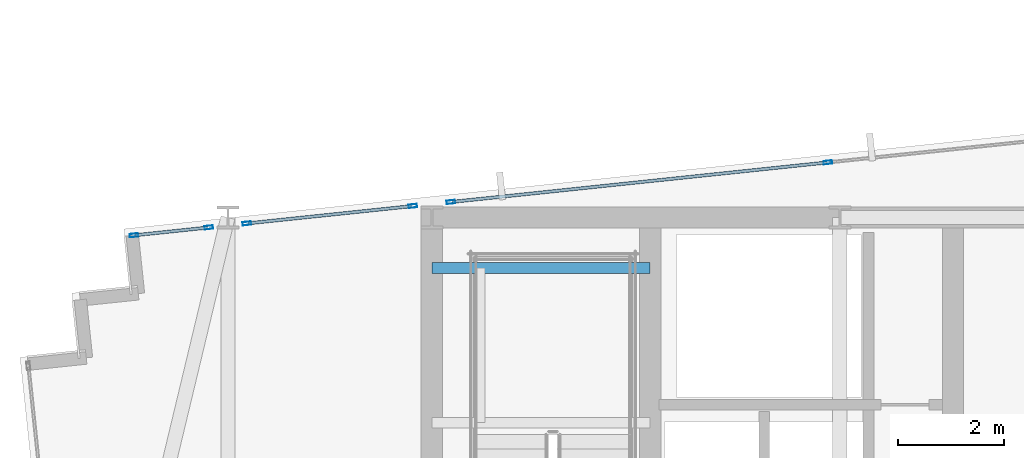
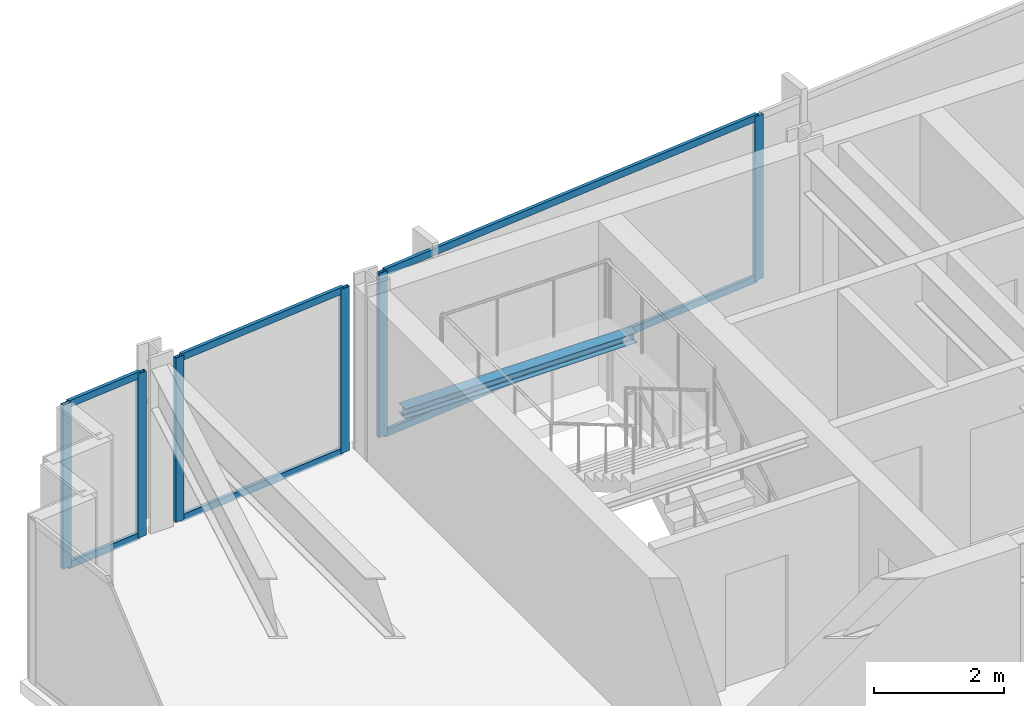
# One storey, part 20 of 33: 12 members, 1 beam, 3 elements without a shape of their own.
"""IFC4 building model written with IfcOpenShell, lengths in metres."""

from ifc_helpers import new_model, si_unit, direction, frame, origin, origin_2d, place, context, subcontext, project, spatial, hollow_rectangle, i_section, extrude, material, material_profile, profile_set, type_object, element, aggregate, save


model = new_model("IFC4")

# Units and contexts
model_context = context("Model", 3, precision=1e-05, world=origin(), true_north=direction((0.0, 1.0)))
body_context = subcontext(model_context, "Body", "Model", "MODEL_VIEW")
ifc_project = project(units=[si_unit("LENGTHUNIT", "METRE"), si_unit("AREAUNIT", "SQUARE_METRE"), si_unit("VOLUMEUNIT", "CUBIC_METRE"), si_unit("PLANEANGLEUNIT", "RADIAN"), si_unit("MASSUNIT", "GRAM", prefix="KILO")], contexts=[model_context])

# Site, building, storey
site_placement = place(None, origin())
site = spatial("IfcSite", under=ifc_project, at=site_placement, CompositionType="ELEMENT")
building_placement = place(site_placement, origin())
building = spatial("IfcBuilding", under=site, at=building_placement, Name="Yelkora Congress Tower", CompositionType="ELEMENT")
storey_placement = place(building_placement, frame((0.0, 0.0, 234.199951171875)))
storey = spatial("IfcBuildingStorey", under=building, at=storey_placement, Name="L65", CompositionType="ELEMENT", Elevation=234.199951171875)

# Beam
ifc_material_1 = material(Name="Steel S355J2", Category="steel")
ifc_material_profile_1 = material_profile(ifc_material_1, i_section(OverallWidth=0.199951171875, OverallDepth=0.18994140625, WebThickness=0.006591796875, FlangeThickness=0.010009765625, FilletRadius=0.01806640625, at=origin_2d()), Name="HEA 200")
ifc_profile_set_1 = profile_set([ifc_material_profile_1], Name="Steel S355J2")
beam_type = type_object("IfcBeamType", Name="BM-LAND-HEA200", PredefinedType="BEAM", material=ifc_profile_set_1)
beam_placement = place(storey_placement, frame((23.0400390625, 45.25, 1.334716796875), z_axis=(1.0, 0.0, 0.0), x_axis=(0.0, 1.0, 0.0)))
element("IfcBeam", 1, at=beam_placement, inside=storey, type_object=beam_type, Name="ST-01 L65 Landing Header Beam 1N", PredefinedType="BEAM", context=body_context, shape_type="SweptSolid", body=[
    extrude(i_section(OverallWidth=0.199951171875, OverallDepth=0.18994140625, WebThickness=0.006591796875, FlangeThickness=0.010009765625, FilletRadius=0.01806640625, at=origin_2d()), origin(), (0.0, 0.0, 1.0), 4.10986328125),
])

# Curtain wall, members
ifc_material_2 = material(Name="Anodised aluminium and insulated glass", Category="aluminium")
curtain_wall_type = type_object("IfcCurtainWallType", Name="CW-SYS-B4", PredefinedType="NOTDEFINED", material=ifc_material_2)
curtain_wall_1_placement = place(storey_placement, origin())
curtain_wall_1 = element("IfcCurtainWall", 2, at=curtain_wall_1_placement, inside=storey, type_object=curtain_wall_type, Name="L65 Unitised Curtain Wall 10 (1)", PredefinedType="NOTDEFINED")
ifc_material_3 = material(Name="Anodised aluminium 6063-T6", Category="aluminium")
ifc_material_profile_2 = material_profile(ifc_material_3, hollow_rectangle(XDim=0.06494140625, YDim=0.159912109375, WallThickness=0.00390625, at=origin_2d()), Name="ALU 65x160x4")
ifc_profile_set_2 = profile_set([ifc_material_profile_2], Name="Anodised aluminium 6063-T6")
member_type_1 = type_object("IfcMemberType", Name="MEM-ML-B4", PredefinedType="MULLION", material=ifc_profile_set_2)
member_1_placement = place(storey_placement, frame((17.431396484375, 45.865966796875, 0.0), z_axis=(0.0, 0.0, 1.0), x_axis=(-0.104509292244, 0.994523910137, 0.0)))
member_1 = element("IfcMember", 3, at=member_1_placement, type_object=member_type_1, Name="CW-B4 mullion 1", PredefinedType="MULLION", context=body_context, shape_type="SweptSolid", body=[
    extrude(hollow_rectangle(XDim=0.06494140625, YDim=0.159912109375, WallThickness=0.00390625, at=origin_2d()), origin(), (0.0, 0.0, 1.0), 3.080078125),
])
member_2_placement = place(storey_placement, frame((18.841796875, 46.01416015625, 0.0), z_axis=(0.0, 0.0, 1.0), x_axis=(-0.104509292244, 0.994523910137, 0.0)))
member_2 = element("IfcMember", 4, at=member_2_placement, type_object=member_type_1, Name="CW-B4 mullion 2", PredefinedType="MULLION", context=body_context, shape_type="SweptSolid", body=[
    extrude(hollow_rectangle(XDim=0.06494140625, YDim=0.159912109375, WallThickness=0.00390625, at=origin_2d()), origin(), (0.0, 0.0, 1.0), 3.080078125),
])

curtain_wall_2_placement = place(storey_placement, origin())
curtain_wall_2 = element("IfcCurtainWall", 5, at=curtain_wall_2_placement, inside=storey, type_object=curtain_wall_type, Name="L65 Unitised Curtain Wall 10 (2)", PredefinedType="NOTDEFINED")
member_3_placement = place(storey_placement, frame((19.558349609375, 46.089599609375, 0.0), z_axis=(0.0, 0.0, 1.0), x_axis=(-0.104506154437, 0.994524239868, 0.0)))
member_3 = element("IfcMember", 6, at=member_3_placement, type_object=member_type_1, Name="CW-B4 mullion 1", PredefinedType="MULLION", context=body_context, shape_type="SweptSolid", body=[
    extrude(hollow_rectangle(XDim=0.06494140625, YDim=0.159912109375, WallThickness=0.00390625, at=origin_2d()), origin(), (0.0, 0.0, 1.0), 3.080078125),
])
member_4_placement = place(storey_placement, frame((22.681640625, 46.417724609375, 0.0), z_axis=(0.0, 0.0, 1.0), x_axis=(-0.104506154437, 0.994524239868, 0.0)))
member_4 = element("IfcMember", 7, at=member_4_placement, type_object=member_type_1, Name="CW-B4 mullion 2", PredefinedType="MULLION", context=body_context, shape_type="SweptSolid", body=[
    extrude(hollow_rectangle(XDim=0.06494140625, YDim=0.159912109375, WallThickness=0.00390625, at=origin_2d()), origin(), (0.0, 0.0, 1.0), 3.080078125),
])

curtain_wall_3_placement = place(storey_placement, origin())
curtain_wall_3 = element("IfcCurtainWall", 8, at=curtain_wall_3_placement, inside=storey, type_object=curtain_wall_type, Name="L65 Unitised Curtain Wall 10 (3)", PredefinedType="NOTDEFINED")
member_5_placement = place(storey_placement, frame((23.3984375, 46.4931640625, 0.0), z_axis=(0.0, 0.0, 1.0), x_axis=(-0.104527724021, 0.994521973066, 0.0)))
member_5 = element("IfcMember", 9, at=member_5_placement, type_object=member_type_1, Name="CW-B4 mullion 1", PredefinedType="MULLION", context=body_context, shape_type="SweptSolid", body=[
    extrude(hollow_rectangle(XDim=0.06494140625, YDim=0.159912109375, WallThickness=0.00390625, at=origin_2d()), origin(), (0.0, 0.0, 1.0), 3.080078125),
])
member_6_placement = place(storey_placement, frame((30.496826171875, 47.2392578125, 0.0), z_axis=(0.0, 0.0, 1.0), x_axis=(-0.104527724021, 0.994521973066, 0.0)))
member_6 = element("IfcMember", 10, at=member_6_placement, type_object=member_type_1, Name="CW-B4 mullion 2", PredefinedType="MULLION", context=body_context, shape_type="SweptSolid", body=[
    extrude(hollow_rectangle(XDim=0.06494140625, YDim=0.159912109375, WallThickness=0.00390625, at=origin_2d()), origin(), (0.0, 0.0, 1.0), 3.080078125),
])

# Member
ifc_material_profile_3 = material_profile(ifc_material_3, hollow_rectangle(XDim=0.06005859375, YDim=0.1298828125, WallThickness=0.00390625, at=origin_2d()), Name="ALU 60x130x4")
ifc_profile_set_3 = profile_set([ifc_material_profile_3], Name="Anodised aluminium 6063-T6")
member_type_2 = type_object("IfcMemberType", Name="MEM-TR-B4", PredefinedType="USERDEFINED", material=ifc_profile_set_3)
member_7_placement = place(storey_placement, frame((17.463623046875, 45.869384765625, 0.030029296875), z_axis=(0.994528168538, 0.10446876081, 0.0), x_axis=(-0.10446876081, 0.994528168538, 0.0)))
member_7 = element("IfcMember", 11, at=member_7_placement, type_object=member_type_2, Name="CW-B4 transom 1.1", ObjectType="TRANSOM", PredefinedType="USERDEFINED", context=body_context, shape_type="SweptSolid", body=[
    extrude(hollow_rectangle(XDim=0.06005859375, YDim=0.1298828125, WallThickness=0.00390625, at=origin_2d()), origin(), (0.0, 0.0, 1.0), 1.35302734375),
])

member_8_placement = place(storey_placement, frame((17.463623046875, 45.869384765625, 3.050048828125), z_axis=(0.994528168538, 0.10446876081, 0.0), x_axis=(-0.10446876081, 0.994528168538, 0.0)))
member_8 = element("IfcMember", 12, at=member_8_placement, type_object=member_type_2, Name="CW-B4 transom 1.2", ObjectType="TRANSOM", PredefinedType="USERDEFINED", context=body_context, shape_type="SweptSolid", body=[
    extrude(hollow_rectangle(XDim=0.06005859375, YDim=0.1298828125, WallThickness=0.00390625, at=origin_2d()), origin(), (0.0, 0.0, 1.0), 1.35302734375),
])

aggregate(curtain_wall_1, [member_1, member_2, member_7, member_8])

member_9_placement = place(storey_placement, frame((19.590576171875, 46.093017578125, 0.030029296875), z_axis=(0.994528915126, 0.104461653149, 0.0), x_axis=(-0.104461653149, 0.994528915126, 0.0)))
member_9 = element("IfcMember", 13, at=member_9_placement, type_object=member_type_2, Name="CW-B4 transom 1.1", ObjectType="TRANSOM", PredefinedType="USERDEFINED", context=body_context, shape_type="SweptSolid", body=[
    extrude(hollow_rectangle(XDim=0.06005859375, YDim=0.1298828125, WallThickness=0.00390625, at=origin_2d()), origin(), (0.0, 0.0, 1.0), 3.07568359375),
])

member_10_placement = place(storey_placement, frame((19.590576171875, 46.093017578125, 3.050048828125), z_axis=(0.994528915126, 0.104461653149, 0.0), x_axis=(-0.104461653149, 0.994528915126, 0.0)))
member_10 = element("IfcMember", 14, at=member_10_placement, type_object=member_type_2, Name="CW-B4 transom 1.2", ObjectType="TRANSOM", PredefinedType="USERDEFINED", context=body_context, shape_type="SweptSolid", body=[
    extrude(hollow_rectangle(XDim=0.06005859375, YDim=0.1298828125, WallThickness=0.00390625, at=origin_2d()), origin(), (0.0, 0.0, 1.0), 3.07568359375),
])

aggregate(curtain_wall_2, [member_3, member_4, member_9, member_10])

member_11_placement = place(storey_placement, frame((23.4306640625, 46.49658203125, 0.030029296875), z_axis=(0.994522085625, 0.104526653081, 0.0), x_axis=(-0.104526653081, 0.994522085625, 0.0)))
member_11 = element("IfcMember", 15, at=member_11_placement, type_object=member_type_2, Name="CW-B4 transom 1.1", ObjectType="TRANSOM", PredefinedType="USERDEFINED", context=body_context, shape_type="SweptSolid", body=[
    extrude(hollow_rectangle(XDim=0.06005859375, YDim=0.1298828125, WallThickness=0.00390625, at=origin_2d()), origin(), (0.0, 0.0, 1.0), 7.072509765625),
])

member_12_placement = place(storey_placement, frame((23.4306640625, 46.49658203125, 3.050048828125), z_axis=(0.994522085625, 0.104526653081, 0.0), x_axis=(-0.104526653081, 0.994522085625, 0.0)))
member_12 = element("IfcMember", 16, at=member_12_placement, type_object=member_type_2, Name="CW-B4 transom 1.2", ObjectType="TRANSOM", PredefinedType="USERDEFINED", context=body_context, shape_type="SweptSolid", body=[
    extrude(hollow_rectangle(XDim=0.06005859375, YDim=0.1298828125, WallThickness=0.00390625, at=origin_2d()), origin(), (0.0, 0.0, 1.0), 7.072509765625),
])

aggregate(curtain_wall_3, [member_5, member_6, member_11, member_12])

save(model, "model.ifc")
